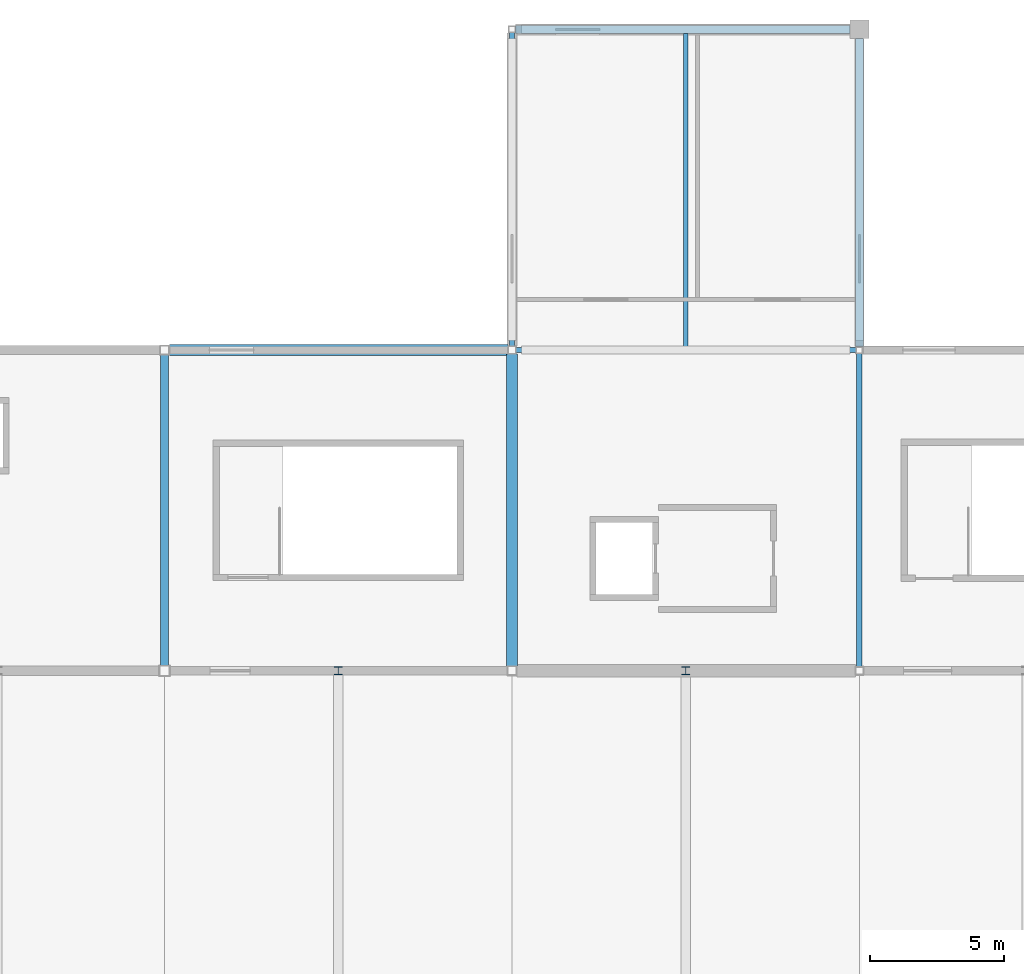
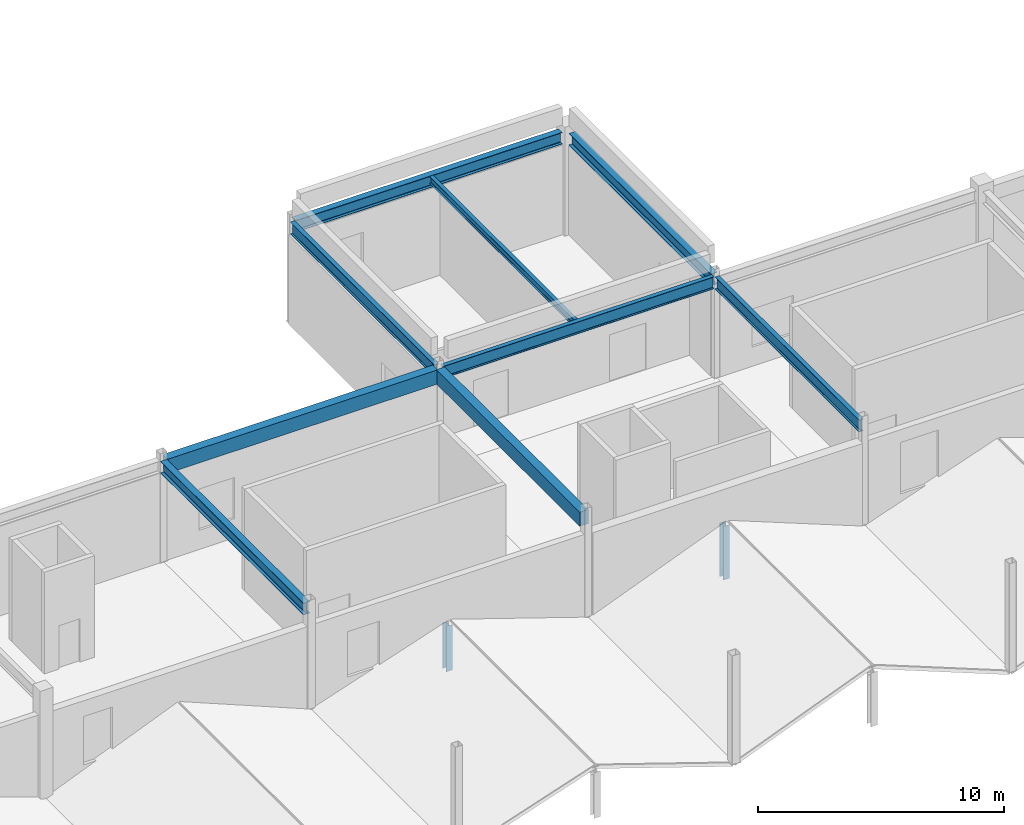
# One storey, part 45 of 76: 9 beams, 2 members.
"""IFC4 building model written with IfcOpenShell, lengths in metres."""

from ifc_helpers import new_model, si_unit, direction, frame, origin, origin_2d, place, context, subcontext, project, spatial, rectangle, i_section, extrude, material, material_profile, profile_set, type_object, element, save


model = new_model("IFC4")

# Units and contexts
model_context = context("Model", 3, precision=1e-05, world=origin(), true_north=direction((0.0, 1.0)))
body_context = subcontext(model_context, "Body", "Model", "MODEL_VIEW")
ifc_project = project(units=[si_unit("LENGTHUNIT", "METRE"), si_unit("AREAUNIT", "SQUARE_METRE"), si_unit("VOLUMEUNIT", "CUBIC_METRE"), si_unit("PLANEANGLEUNIT", "RADIAN"), si_unit("MASSUNIT", "GRAM", prefix="KILO")], contexts=[model_context])

# Site, building, storey
site_placement = place(None, origin())
site = spatial("IfcSite", under=ifc_project, at=site_placement, CompositionType="ELEMENT")
building_placement = place(site_placement, origin())
building = spatial("IfcBuilding", under=site, at=building_placement, Name="Kazenohara Klinker Stadium", CompositionType="ELEMENT")
storey_placement = place(building_placement, frame((0.0, 0.0, 25.800048828125)))
storey = spatial("IfcBuildingStorey", under=building, at=storey_placement, Name="L05", CompositionType="ELEMENT", Elevation=25.800048828125)

# Beams
ifc_material_1 = material(Name="Steel S355", Category="steel")
ifc_material_profile_1 = material_profile(ifc_material_1, i_section(OverallWidth=0.175048828125, OverallDepth=0.35009765625, WebThickness=0.007080078125, FlangeThickness=0.010986328125, FilletRadius=0.012939453125, at=origin_2d()), Name="H-350x175x7x11")
ifc_profile_set_1 = profile_set([ifc_material_profile_1], Name="Steel S355")
beam_type_1 = type_object("IfcBeamType", Name="BM-JST04", PredefinedType="JOIST", material=ifc_profile_set_1)
beam_1_placement = place(storey_placement, frame((118.5, 156.10009765625, 4.864990234375), z_axis=(0.0, 1.0, 0.0), x_axis=(-1.0, 0.0, 0.0)))
element("IfcBeam", 1, at=beam_1_placement, inside=storey, type_object=beam_type_1, Name="Secondary floor joist SJ04 L05 10/P", PredefinedType="JOIST", context=body_context, shape_type="SweptSolid", body=[
    extrude(i_section(OverallWidth=0.175048828125, OverallDepth=0.35009765625, WebThickness=0.007080078125, FlangeThickness=0.010986328125, FilletRadius=0.012939453125, at=origin_2d()), origin(), (0.0, 0.0, 1.0), 11.75),
])
ifc_material_2 = material(Name="Concrete C40/50", Category="concrete")
ifc_material_profile_2 = material_profile(ifc_material_2, rectangle(XDim=0.39990234375, YDim=0.699951171875, at=origin_2d()), Name="RC-BM-400x700")
ifc_profile_set_2 = profile_set([ifc_material_profile_2], Name="Concrete C40/50")
beam_type_2 = type_object("IfcBeamType", Name="BM-RC04", PredefinedType="BEAM", material=ifc_profile_set_2)
beam_2_placement = place(storey_placement, frame((99.175048828125, 156.0, 4.68994140625), z_axis=(1.0, 0.0, 0.0), x_axis=(0.0, 1.0, 0.0)))
element("IfcBeam", 2, at=beam_2_placement, inside=storey, type_object=beam_type_2, Name="Primary girder BG04 L05 9-10/P", PredefinedType="BEAM", context=body_context, shape_type="SweptSolid", body=[
    extrude(rectangle(XDim=0.39990234375, YDim=0.699951171875, at=origin_2d()), origin(), (0.0, 0.0, 1.0), 12.675048828125),
])
beam_3_placement = place(storey_placement, frame((112.0, 144.175048828125, 4.68994140625), z_axis=(0.0, 1.0, 0.0), x_axis=(-1.0, 0.0, 0.0)))
element("IfcBeam", 3, at=beam_3_placement, inside=storey, type_object=beam_type_2, Name="Primary girder BG04 L05 10/N-P", PredefinedType="BEAM", context=body_context, shape_type="SweptSolid", body=[
    extrude(rectangle(XDim=0.39990234375, YDim=0.699951171875, at=origin_2d()), origin(), (0.0, 0.0, 1.0), 11.675048828125),
])
ifc_material_profile_3 = material_profile(ifc_material_1, i_section(OverallWidth=0.199951171875, OverallDepth=0.60009765625, WebThickness=0.010986328125, FlangeThickness=0.01708984375, FilletRadius=0.012939453125, at=origin_2d()), Name="H-600x200x11x17")
ifc_profile_set_3 = profile_set([ifc_material_profile_3], Name="Steel S355")
beam_type_3 = type_object("IfcBeamType", Name="BM-ST04", PredefinedType="BEAM", material=ifc_profile_set_3)
beam_4_placement = place(storey_placement, frame((112.14990234375, 156.0, 4.739990234375), z_axis=(1.0, 0.0, 0.0), x_axis=(0.0, 1.0, 0.0)))
element("IfcBeam", 4, at=beam_4_placement, inside=storey, type_object=beam_type_3, Name="Primary girder SB04 L05 10-11/P", PredefinedType="BEAM", context=body_context, shape_type="SweptSolid", body=[
    extrude(i_section(OverallWidth=0.199951171875, OverallDepth=0.60009765625, WebThickness=0.010986328125, FlangeThickness=0.01708984375, FilletRadius=0.012939453125, at=origin_2d()), origin(), (0.0, 0.0, 1.0), 12.72509765625),
])
for number, where, z_axis, x_axis, name in (
    (5, (112.0, 156.14990234375, 4.739990234375), (0.0, 1.0, 0.0), (-1.0, 0.0, 0.0), "Primary girder SB04 L05 10/P-Q"),
    (6, (125.0, 144.14990234375, 4.739990234375), (0.0, 1.0, 0.0), (-1.0, 0.0, 0.0), "Primary girder SB04 L05 11/N-P"),
):
    element("IfcBeam", number, at=place(storey_placement, frame(where, z_axis=z_axis, x_axis=x_axis)), inside=storey, type_object=beam_type_3, Name=name, PredefinedType="BEAM", context=body_context, shape_type="SweptSolid", body=[
        extrude(i_section(OverallWidth=0.199951171875, OverallDepth=0.60009765625, WebThickness=0.010986328125, FlangeThickness=0.01708984375, FilletRadius=0.012939453125, at=origin_2d()), origin(), (0.0, 0.0, 1.0), 11.72509765625),
    ])
ifc_material_profile_4 = material_profile(ifc_material_1, i_section(OverallWidth=0.300048828125, OverallDepth=0.587890625, WebThickness=0.011962890625, FlangeThickness=0.02001953125, FilletRadius=0.02197265625, at=origin_2d()), Name="H-588x300x12x20")
ifc_profile_set_4 = profile_set([ifc_material_profile_4], Name="Steel S355")
beam_type_4 = type_object("IfcBeamType", Name="BM-ST05", PredefinedType="BEAM", material=ifc_profile_set_4)
beam_5_placement = place(storey_placement, frame((112.125, 168.0, 4.745849609375), z_axis=(1.0, 0.0, 0.0), x_axis=(0.0, 1.0, 0.0)))
element("IfcBeam", 7, at=beam_5_placement, inside=storey, type_object=beam_type_4, Name="Primary girder SB05 L05 10-11/Q", PredefinedType="BEAM", context=body_context, shape_type="SweptSolid", body=[
    extrude(i_section(OverallWidth=0.300048828125, OverallDepth=0.587890625, WebThickness=0.011962890625, FlangeThickness=0.02001953125, FilletRadius=0.02197265625, at=origin_2d()), origin(), (0.0, 0.0, 1.0), 12.52490234375),
])
beam_6_placement = place(storey_placement, frame((99.0, 144.199951171875, 4.745849609375), z_axis=(0.0, 1.0, 0.0), x_axis=(-1.0, 0.0, 0.0)))
element("IfcBeam", 8, at=beam_6_placement, inside=storey, type_object=beam_type_4, Name="Primary girder SB05 L05 9/N-P", PredefinedType="BEAM", context=body_context, shape_type="SweptSolid", body=[
    extrude(i_section(OverallWidth=0.300048828125, OverallDepth=0.587890625, WebThickness=0.011962890625, FlangeThickness=0.02001953125, FilletRadius=0.02197265625, at=origin_2d()), origin(), (0.0, 0.0, 1.0), 11.625),
])
beam_7_placement = place(storey_placement, frame((125.0, 156.125, 4.745849609375), z_axis=(0.0, 1.0, 0.0), x_axis=(-1.0, 0.0, 0.0)))
element("IfcBeam", 9, at=beam_7_placement, inside=storey, type_object=beam_type_4, Name="Primary girder SB05 L05 11/P-Q", PredefinedType="BEAM", context=body_context, shape_type="SweptSolid", body=[
    extrude(i_section(OverallWidth=0.300048828125, OverallDepth=0.587890625, WebThickness=0.011962890625, FlangeThickness=0.02001953125, FilletRadius=0.02197265625, at=origin_2d()), origin(), (0.0, 0.0, 1.0), 11.52490234375),
])

# Members
ifc_material_profile_5 = material_profile(ifc_material_1, i_section(OverallWidth=0.300048828125, OverallDepth=0.300048828125, WebThickness=0.010009765625, FlangeThickness=0.014892578125, FilletRadius=0.012939453125, at=origin_2d()), Name="H-300x300x10x15")
ifc_profile_set_5 = profile_set([ifc_material_profile_5], Name="Steel S355")
member_type = type_object("IfcMemberType", Name="MEM-STR01", PredefinedType="STRUT", material=ifc_profile_set_5)
member_1_placement = place(storey_placement, frame((105.5, 144.0, -0.429931640625), z_axis=(0.0, 0.0, 1.0), x_axis=(1.0, 0.0, 0.0)))
element("IfcMember", 10, at=member_1_placement, inside=storey, type_object=member_type, Name="Stepped pavilion gable king-post L05 9/M N", PredefinedType="STRUT", context=body_context, shape_type="SweptSolid", body=[
    extrude(i_section(OverallWidth=0.300048828125, OverallDepth=0.300048828125, WebThickness=0.010009765625, FlangeThickness=0.014892578125, FilletRadius=0.012939453125, at=origin_2d()), origin(), (0.0, 0.0, 1.0), 2.259765625),
])
member_2_placement = place(storey_placement, frame((118.5, 144.0, -0.429931640625), z_axis=(0.0, 0.0, 1.0), x_axis=(1.0, 0.0, 0.0)))
element("IfcMember", 11, at=member_2_placement, inside=storey, type_object=member_type, Name="Stepped pavilion gable king-post L05 10/M N", PredefinedType="STRUT", context=body_context, shape_type="SweptSolid", body=[
    extrude(i_section(OverallWidth=0.300048828125, OverallDepth=0.300048828125, WebThickness=0.010009765625, FlangeThickness=0.014892578125, FilletRadius=0.012939453125, at=origin_2d()), origin(), (0.0, 0.0, 1.0), 2.659912109375),
])

save(model, "model.ifc")
